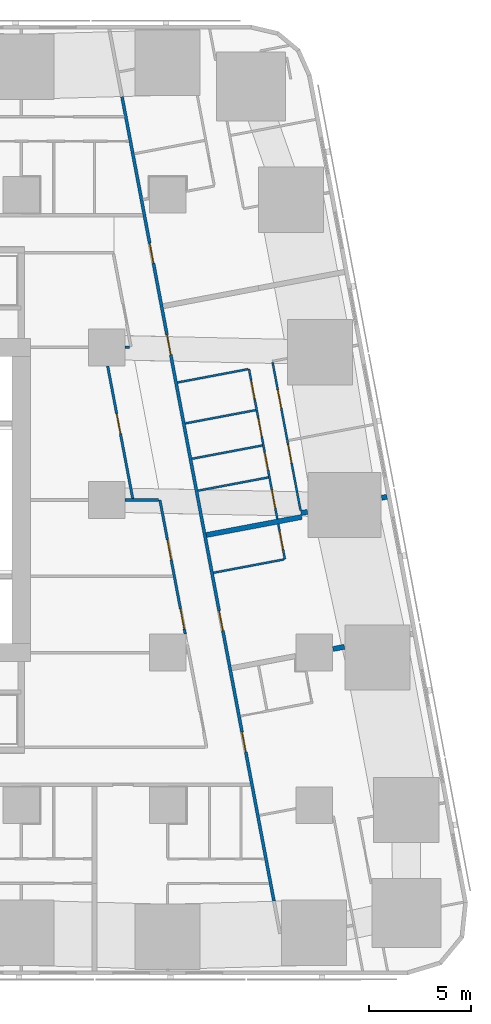
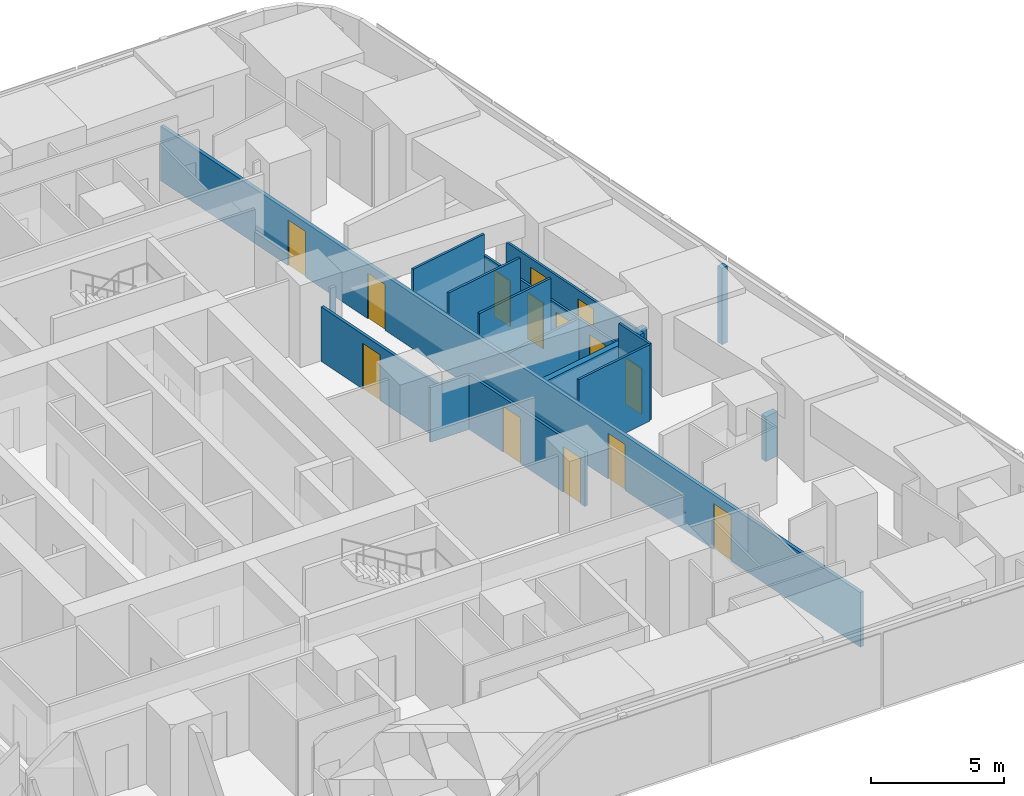
# One storey, part 9 of 17: 17 walls, 14 doors, 14 openings.
"""IFC4 building model written with IfcOpenShell, lengths in metres."""

import ifcopenshell
import ifcopenshell.guid

model = None  # the IFC model being written
_history = None  # IfcOwnerHistory: only IFC2X3 demands one
_inside = {}  # id of a spatial element -> (the spatial element, [elements in it])
_under = {}  # id of a project, library or spatial element -> (it, [spatial elements below it])
_declared = {}  # id of a project -> (the project, [libraries it declares])
_typed = {}  # id of a type object -> (the type object, [elements of that type])
_made_of = {}  # id of a material, layer set ... -> (it, [elements and type objects made of it])


def new_model(schema):
    """Start an empty IFC model of exactly this schema.

    Asked for "IFC4X3", IfcOpenShell would pick the latest addendum, in which some entities
    have other attributes; the version numbers below select the first issue.
    IFC2X3 requires an IfcOwnerHistory on every rooted entity: one is made here for all.
    """
    global model, _history
    if schema == "IFC4X3":
        model = ifcopenshell.file(schema_version=(4, 3, 0, 0))
    else:
        model = ifcopenshell.file(schema=schema)
    _inside.clear()
    _under.clear()
    _declared.clear()
    _typed.clear()
    _made_of.clear()
    _history = None
    if model.schema == "IFC2X3":
        org = make("IfcOrganization", Name="unknown")
        user = make(
            "IfcPersonAndOrganization",
            ThePerson=make("IfcPerson", FamilyName="unknown"),
            TheOrganization=org,
        )
        app = make(
            "IfcApplication",
            ApplicationDeveloper=org,
            Version="unknown",
            ApplicationFullName="unknown",
            ApplicationIdentifier="unknown",
        )
        _history = make(
            "IfcOwnerHistory",
            OwningUser=user,
            OwningApplication=app,
            ChangeAction="ADDED",
            CreationDate=0,
        )
    return model


def make(cls, **values):
    """One entity of the class cls with the attributes given. An attribute that is None is left unset."""
    return model.create_entity(
        cls, **{name: value for name, value in values.items() if value is not None}
    )


def rooted(cls, **values):
    """An entity with a GlobalId (a new one), such as an element, a storey or a relation."""
    return make(cls, GlobalId=ifcopenshell.guid.new(), OwnerHistory=_history, **values)


def si_unit(unit_type, name, prefix=None):
    """IfcSIUnit, for example si_unit("LENGTHUNIT", "METRE", prefix="MILLI")."""
    return make("IfcSIUnit", UnitType=unit_type, Prefix=prefix, Name=name)


def assignment(units):
    """IfcUnitAssignment: the units of a project."""
    return None if units is None else make("IfcUnitAssignment", Units=units)


def point(xyz):
    """IfcCartesianPoint."""
    return None if xyz is None else make("IfcCartesianPoint", Coordinates=xyz)


def direction(xyz):
    """IfcDirection."""
    return None if xyz is None else make("IfcDirection", DirectionRatios=xyz)


def frame(location, z_axis=None, x_axis=None):
    """IfcAxis2Placement3D, a coordinate frame: its origin and axes. An axis left out is left unset."""
    return make(
        "IfcAxis2Placement3D",
        Location=point(location),
        Axis=direction(z_axis),
        RefDirection=direction(x_axis),
    )


def frame_2d(location, x_axis=None):
    """IfcAxis2Placement2D, a coordinate frame in the plane: its origin and x axis."""
    return make(
        "IfcAxis2Placement2D", Location=point(location), RefDirection=direction(x_axis)
    )


def origin():
    """The frame at (0, 0, 0) with its axes left unset."""
    return frame((0.0, 0.0, 0.0))


def place(relative_to, where):
    """IfcLocalPlacement: puts the frame where relative to a parent placement (None: the world)."""
    return make(
        "IfcLocalPlacement", PlacementRelTo=relative_to, RelativePlacement=where
    )


def context(
    kind, dimensions, precision=None, world=None, true_north=None, identifier=None
):
    """IfcGeometricRepresentationContext, for example the 3D "Model" context."""
    return make(
        "IfcGeometricRepresentationContext",
        ContextIdentifier=identifier,
        ContextType=kind,
        CoordinateSpaceDimension=dimensions,
        Precision=precision,
        WorldCoordinateSystem=world,
        TrueNorth=true_north,
    )


def subcontext(parent, identifier, kind, view, scale=None):
    """IfcGeometricRepresentationSubContext, for example "Body" below "Model"."""
    return make(
        "IfcGeometricRepresentationSubContext",
        ContextIdentifier=identifier,
        ContextType=kind,
        ParentContext=parent,
        TargetScale=scale,
        TargetView=view,
    )


def project(units=None, contexts=None):
    """IfcProject with its units and contexts."""
    return rooted(
        "IfcProject",
        Name="project",
        RepresentationContexts=contexts,
        UnitsInContext=assignment(units),
    )


def spatial(cls, under=None, at=None, **own):
    """A site, building, storey or space (cls), placed at a placement, below another one or the project."""
    s = rooted(cls, ObjectPlacement=at, **own)
    if under is not None:
        _under.setdefault(under.id(), (under, []))[1].append(s)
    return s


def profile(cls, at=None, kind="AREA", **sizes):
    """A parametric profile (cls). Its sizes go by their IFC names, for example OverallWidth=200.0."""
    return make(cls, ProfileType=kind, Position=at, **sizes)


def rectangle(**sizes):
    """IfcRectangleProfileDef."""
    return profile("IfcRectangleProfileDef", **sizes)


def extrude(swept, where, along, depth):
    """IfcExtrudedAreaSolid: the profile swept, set in the frame where, extruded along a direction by depth."""
    return make(
        "IfcExtrudedAreaSolid",
        SweptArea=swept,
        Position=where,
        ExtrudedDirection=direction(along),
        Depth=depth,
    )


def shape(context_of_items, identifier, shape_type, items):
    """IfcShapeRepresentation: the items that make up one representation, for example the "Body"."""
    return make(
        "IfcShapeRepresentation",
        ContextOfItems=context_of_items,
        RepresentationIdentifier=identifier,
        RepresentationType=shape_type,
        Items=items,
    )


def material(Name=None, Category=None):
    """IfcMaterial."""
    return make("IfcMaterial", Name=Name, Category=Category)


def layer(
    of_material, thickness, ventilated=None, Name=None, Category=None, Priority=None
):
    """IfcMaterialLayer: one layer of a wall or slab, of a material (None: an air gap)."""
    return make(
        "IfcMaterialLayer",
        Material=of_material,
        LayerThickness=thickness,
        IsVentilated=ventilated,
        Name=Name,
        Category=Category,
        Priority=Priority,
    )


def layer_set(layers, Name=None):
    """IfcMaterialLayerSet."""
    return make("IfcMaterialLayerSet", MaterialLayers=layers, LayerSetName=Name)


def made_of(thing, what):
    """Note that an element or type object is made of a material, layer set ...; save() writes the relation."""
    if what is not None:
        _made_of.setdefault(what.id(), (what, []))[1].append(thing)
    return thing


def type_object(cls, material=None, **own):
    """A type object (cls), such as IfcWallType, which elements share."""
    return made_of(rooted(cls, **own), material)


def element(
    cls,
    number,
    at=None,
    inside=None,
    cuts=None,
    type_object=None,
    material=None,
    context=None,
    identifier="Body",
    shape_type=None,
    held_by="IfcProductDefinitionShape",
    body=None,
    shapes=None,
    **own,
):
    """One element of the class cls, such as IfcWall. Its Tag is "e" and its number.

    at: its placement. inside: the storey or other place that contains it. cuts: it is an
    opening in that element (IfcRelVoidsElement). A single representation is given by context,
    identifier, shape_type and body (its items); several are given by shapes. held_by: the class
    of the entity that holds the representations. save() writes the other relations.
    """
    e = rooted(cls, Tag="e%d" % number, ObjectPlacement=at, **own)
    if body is not None:
        shapes = [shape(context, identifier, shape_type, body)]
    if shapes is not None:
        e.Representation = make(held_by, Representations=shapes)
    if inside is not None:
        _inside.setdefault(inside.id(), (inside, []))[1].append(e)
    if cuts is not None:
        rooted(
            "IfcRelVoidsElement", RelatingBuildingElement=cuts, RelatedOpeningElement=e
        )
    if type_object is not None:
        _typed.setdefault(type_object.id(), (type_object, []))[1].append(e)
    return made_of(e, material)


def fill(opening, filler):
    """IfcRelFillsElement: the door or window that sits in an opening."""
    return rooted(
        "IfcRelFillsElement",
        RelatingOpeningElement=opening,
        RelatedBuildingElement=filler,
    )


def aggregate(whole, parts):
    """IfcRelAggregates: a whole, such as a stair, and the parts it consists of."""
    return rooted("IfcRelAggregates", RelatingObject=whole, RelatedObjects=parts)


def save(model, path):
    """Write the relations noted so far, then the file.

    IfcRelAggregates (storeys below a building ...), IfcRelContainedInSpatialStructure (elements
    in a storey), IfcRelDefinesByType, IfcRelAssociatesMaterial and IfcRelDeclares: one each for
    every whole, place, type object, material and project.
    """
    for whole, parts in _under.values():
        aggregate(whole, parts)
    for where, things in _inside.values():
        rooted(
            "IfcRelContainedInSpatialStructure",
            RelatedElements=things,
            RelatingStructure=where,
        )
    for kind, things in _typed.values():
        rooted("IfcRelDefinesByType", RelatedObjects=things, RelatingType=kind)
    for what, things in _made_of.values():
        rooted("IfcRelAssociatesMaterial", RelatedObjects=things, RelatingMaterial=what)
    for by, libraries in _declared.values():
        rooted("IfcRelDeclares", RelatingContext=by, RelatedDefinitions=libraries)
    model.write(path)


model = new_model("IFC4")

# Units and contexts
model_context = context("Model", 3, precision=1e-05, world=origin(), true_north=direction((0.0, 1.0)))
body_context = subcontext(model_context, "Body", "Model", "MODEL_VIEW")
ifc_project = project(units=[si_unit("LENGTHUNIT", "METRE"), si_unit("AREAUNIT", "SQUARE_METRE"), si_unit("VOLUMEUNIT", "CUBIC_METRE"), si_unit("PLANEANGLEUNIT", "RADIAN"), si_unit("MASSUNIT", "GRAM", prefix="KILO")], contexts=[model_context])

# Site, building, storey
site_placement = place(None, origin())
site = spatial("IfcSite", under=ifc_project, at=site_placement, CompositionType="ELEMENT")
building_placement = place(site_placement, origin())
building = spatial("IfcBuilding", under=site, at=building_placement, Name="Sheger Commons Tower", CompositionType="ELEMENT")
storey_placement = place(building_placement, frame((0.0, 0.0, 23.75)))
storey = spatial("IfcBuildingStorey", under=building, at=storey_placement, Name="L05", CompositionType="ELEMENT", Elevation=23.75)

# Wall, openings, doors
ifc_material_1 = material(Name="Hollow concrete block masonry, skimmed both sides", Category="masonry")
ifc_layer_1 = layer(ifc_material_1, 0.14990234375)
ifc_layer_set_1 = layer_set([ifc_layer_1], Name="CORRIDOR WALL 150")
wall_type_1 = type_object("IfcWallType", Name="CORRIDOR WALL 150", PredefinedType="SOLIDWALL", material=ifc_layer_set_1)
wall_1_placement = place(storey_placement, frame((33.7548828125, 42.324951171875, 0.0), z_axis=(0.0, 0.0, 1.0), x_axis=(0.185611461091, -0.982623216453, 0.0)))
wall_1 = element("IfcWall", 1, at=wall_1_placement, inside=storey, type_object=wall_type_1, Name="Corridor wall L05", PredefinedType="SOLIDWALL", context=body_context, shape_type="SweptSolid", body=[
    extrude(rectangle(XDim=40.2412109375, YDim=0.14990234375, at=frame_2d((20.12060546875, 0.0))), origin(), (0.0, 0.0, 1.0), 2.5),
])
opening_1_placement = place(wall_1_placement, frame((7.324951171875, 0.0, 0.0)))
opening_1 = element("IfcOpeningElement", 2, at=opening_1_placement, cuts=wall_1, Name="Opening D1", PredefinedType="OPENING", context=body_context, shape_type="SweptSolid", body=[
    extrude(rectangle(XDim=1.0, YDim=2.10009765625, at=frame_2d((0.5, 1.050048828125))), frame((0.0, 0.0849609375, 0.0), z_axis=(0.0, -1.0, 0.0), x_axis=(1.0, 0.0, 0.0)), (0.0, 0.0, 1.0), 0.169921875),
])
opening_2_placement = place(wall_1_placement, frame((11.902099609375, 0.0, 0.0)))
opening_2 = element("IfcOpeningElement", 3, at=opening_2_placement, cuts=wall_1, Name="Opening D1", PredefinedType="OPENING", context=body_context, shape_type="SweptSolid", body=[
    extrude(rectangle(XDim=1.0, YDim=2.10009765625, at=frame_2d((0.5, 1.050048828125))), frame((0.0, 0.0849609375, 0.0), z_axis=(0.0, -1.0, 0.0), x_axis=(1.0, 0.0, 0.0)), (0.0, 0.0, 1.0), 0.169921875),
])
opening_3_placement = place(wall_1_placement, frame((25.718017578125, 0.0, 0.0)))
opening_3 = element("IfcOpeningElement", 4, at=opening_3_placement, cuts=wall_1, Name="Opening D1", PredefinedType="OPENING", context=body_context, shape_type="SweptSolid", body=[
    extrude(rectangle(XDim=1.0, YDim=2.10009765625, at=frame_2d((0.5, 1.050048828125))), frame((0.0, 0.0849609375, 0.0), z_axis=(0.0, -1.0, 0.0), x_axis=(1.0, 0.0, 0.0)), (0.0, 0.0, 1.0), 0.169921875),
])
opening_4_placement = place(wall_1_placement, frame((31.7880859375, 0.0, 0.0)))
opening_4 = element("IfcOpeningElement", 5, at=opening_4_placement, cuts=wall_1, Name="Opening D1", PredefinedType="OPENING", context=body_context, shape_type="SweptSolid", body=[
    extrude(rectangle(XDim=1.0, YDim=2.10009765625, at=frame_2d((0.5, 1.050048828125))), frame((0.0, 0.0849609375, 0.0), z_axis=(0.0, -1.0, 0.0), x_axis=(1.0, 0.0, 0.0)), (0.0, 0.0, 1.0), 0.169921875),
])
ifc_material_2 = material(Name="Steel door set, fire rated", Category="steel")
door_type_1 = type_object("IfcDoorType", Name="FLAT ENTRANCE DOOR 1000x2100", OperationType="NOTDEFINED", PredefinedType="DOOR", material=ifc_material_2)
door_1_placement = place(opening_1_placement, origin())
door_1 = element("IfcDoor", 6, at=door_1_placement, inside=storey, type_object=door_type_1, Name="Flat entrance door", OperationType="SINGLE_SWING_RIGHT", OverallHeight=2.10009765625, OverallWidth=1.0, PredefinedType="DOOR", context=body_context, shape_type="SweptSolid", body=[
    extrude(rectangle(XDim=1.0, YDim=2.10009765625, at=frame_2d((0.5, 1.050048828125))), frame((0.0, 0.02490234375, 0.0), z_axis=(0.0, -1.0, 0.0), x_axis=(1.0, 0.0, 0.0)), (0.0, 0.0, 1.0), 0.050048828125),
])
fill(opening_1, door_1)
door_2_placement = place(opening_2_placement, origin())
door_2 = element("IfcDoor", 7, at=door_2_placement, inside=storey, type_object=door_type_1, Name="Flat entrance door", OperationType="SINGLE_SWING_RIGHT", OverallHeight=2.10009765625, OverallWidth=1.0, PredefinedType="DOOR", context=body_context, shape_type="SweptSolid", body=[
    extrude(rectangle(XDim=1.0, YDim=2.10009765625, at=frame_2d((0.5, 1.050048828125))), frame((0.0, 0.02490234375, 0.0), z_axis=(0.0, -1.0, 0.0), x_axis=(1.0, 0.0, 0.0)), (0.0, 0.0, 1.0), 0.050048828125),
])
fill(opening_2, door_2)
door_3_placement = place(opening_3_placement, origin())
door_3 = element("IfcDoor", 8, at=door_3_placement, inside=storey, type_object=door_type_1, Name="Flat entrance door", OperationType="SINGLE_SWING_RIGHT", OverallHeight=2.10009765625, OverallWidth=1.0, PredefinedType="DOOR", context=body_context, shape_type="SweptSolid", body=[
    extrude(rectangle(XDim=1.0, YDim=2.10009765625, at=frame_2d((0.5, 1.050048828125))), frame((0.0, 0.02490234375, 0.0), z_axis=(0.0, -1.0, 0.0), x_axis=(1.0, 0.0, 0.0)), (0.0, 0.0, 1.0), 0.050048828125),
])
fill(opening_3, door_3)
door_4_placement = place(opening_4_placement, origin())
door_4 = element("IfcDoor", 9, at=door_4_placement, inside=storey, type_object=door_type_1, Name="Flat entrance door", OperationType="SINGLE_SWING_RIGHT", OverallHeight=2.10009765625, OverallWidth=1.0, PredefinedType="DOOR", context=body_context, shape_type="SweptSolid", body=[
    extrude(rectangle(XDim=1.0, YDim=2.10009765625, at=frame_2d((0.5, 1.050048828125))), frame((0.0, 0.02490234375, 0.0), z_axis=(0.0, -1.0, 0.0), x_axis=(1.0, 0.0, 0.0)), (0.0, 0.0, 1.0), 0.050048828125),
])
fill(opening_4, door_4)

# Walls
ifc_material_3 = material(Name="Dense concrete block masonry, plastered both sides (separating wall between flats)", Category="masonry")
ifc_layer_2 = layer(ifc_material_3, 0.25)
ifc_layer_set_2 = layer_set([ifc_layer_2], Name="DEMISING WALL 250")
wall_type_2 = type_object("IfcWallType", Name="DEMISING WALL 250", PredefinedType="SOLIDWALL", material=ifc_layer_set_2)
wall_2_placement = place(storey_placement, frame((46.781982421875, 22.656982421875, 0.0), z_axis=(0.0, 0.0, 1.0), x_axis=(-0.982104607121, -0.188336243648, 0.0)))
element("IfcWall", 10, at=wall_2_placement, inside=storey, type_object=wall_type_2, Name="Demising wall L05", PredefinedType="SOLIDWALL", context=body_context, shape_type="SweptSolid", body=[
    extrude(rectangle(XDim=0.265625, YDim=0.25, at=frame_2d((0.1328125, 0.0))), origin(), (0.0, 0.0, 1.0), 3.5),
])
wall_3_placement = place(storey_placement, frame((42.873046875, 21.91796875, 0.0), z_axis=(0.0, 0.0, 1.0), x_axis=(-0.982431406936, -0.186624035603, 0.0)))
element("IfcWall", 11, at=wall_3_placement, inside=storey, type_object=wall_type_2, Name="Demising wall L05", PredefinedType="SOLIDWALL", context=body_context, shape_type="SweptSolid", body=[
    extrude(rectangle(XDim=0.32177734375, YDim=0.25, at=frame_2d((0.160888671875, 0.0))), origin(), (0.0, 0.0, 1.0), 2.5),
])
wall_4_placement = place(storey_placement, frame((42.593017578125, 21.6650390625, 0.0), z_axis=(0.0, 0.0, 1.0), x_axis=(-0.982635807605, -0.185544791394, 0.0)))
element("IfcWall", 12, at=wall_4_placement, inside=storey, type_object=wall_type_2, Name="Demising wall L05", PredefinedType="SOLIDWALL", context=body_context, shape_type="SweptSolid", body=[
    extrude(rectangle(XDim=4.775146484375, YDim=0.25, at=frame_2d((2.3876953125, 0.0))), origin(), (0.0, 0.0, 1.0), 2.5),
])
wall_5_placement = place(storey_placement, frame((44.68994140625, 15.281005859375, 0.0), z_axis=(0.0, 0.0, 1.0), x_axis=(-0.982612073204, -0.185670443513, 0.0)))
element("IfcWall", 13, at=wall_5_placement, inside=storey, type_object=wall_type_2, Name="Demising wall L05", PredefinedType="SOLIDWALL", context=body_context, shape_type="SweptSolid", body=[
    extrude(rectangle(XDim=0.575927734375, YDim=0.25, at=frame_2d((0.2880859375, 0.0))), origin(), (0.0, 0.0, 1.0), 2.050048828125),
])

# Wall, openings, doors
ifc_material_4 = material(Name="Gypsum board on steel studs", Category="steel")
ifc_layer_3 = layer(ifc_material_4, 0.10009765625)
ifc_layer_set_3 = layer_set([ifc_layer_3], Name="PARTITION 100")
wall_type_3 = type_object("IfcWallType", Name="PARTITION 100", PredefinedType="PARTITIONING", material=ifc_layer_set_3)
wall_6_placement = place(storey_placement, frame((41.156982421875, 29.27294921875, 0.0), z_axis=(0.0, 0.0, 1.0), x_axis=(0.18542464283, -0.982658486877, 0.0)))
wall_6 = element("IfcWall", 14, at=wall_6_placement, inside=storey, type_object=wall_type_3, Name="Partition L05", PredefinedType="PARTITIONING", context=body_context, shape_type="SweptSolid", body=[
    extrude(rectangle(XDim=7.420654296875, YDim=0.10009765625, at=frame_2d((3.71044921875, 0.0))), origin(), (0.0, 0.0, 1.0), 2.5),
])
opening_5_placement = place(wall_6_placement, frame((1.39990234375, 0.0, 0.0)))
opening_5 = element("IfcOpeningElement", 15, at=opening_5_placement, cuts=wall_6, Name="Opening D2", PredefinedType="OPENING", context=body_context, shape_type="SweptSolid", body=[
    extrude(rectangle(XDim=0.89990234375, YDim=2.10009765625, at=frame_2d((0.449951171875, 1.050048828125))), frame((0.0, 0.06005859375, 0.0), z_axis=(0.0, -1.0, 0.0), x_axis=(1.0, 0.0, 0.0)), (0.0, 0.0, 1.0), 0.1201171875),
])
opening_6_placement = place(wall_6_placement, frame((4.1259765625, 0.0, 0.0)))
opening_6 = element("IfcOpeningElement", 16, at=opening_6_placement, cuts=wall_6, Name="Opening D2", PredefinedType="OPENING", context=body_context, shape_type="SweptSolid", body=[
    extrude(rectangle(XDim=0.89990234375, YDim=2.10009765625, at=frame_2d((0.449951171875, 1.050048828125))), frame((0.0, 0.06005859375, 0.0), z_axis=(0.0, -1.0, 0.0), x_axis=(1.0, 0.0, 0.0)), (0.0, 0.0, 1.0), 0.1201171875),
])
ifc_material_5 = material(Name="Timber door set", Category="wood")
door_type_2 = type_object("IfcDoorType", Name="INTERNAL DOOR 900x2100", OperationType="NOTDEFINED", PredefinedType="DOOR", material=ifc_material_5)
door_5_placement = place(opening_5_placement, origin())
door_5 = element("IfcDoor", 17, at=door_5_placement, inside=storey, type_object=door_type_2, Name="Main bedroom door", OperationType="SINGLE_SWING_LEFT", OverallHeight=2.10009765625, OverallWidth=0.89990234375, PredefinedType="DOOR", context=body_context, shape_type="SweptSolid", body=[
    extrude(rectangle(XDim=0.89990234375, YDim=2.10009765625, at=frame_2d((0.449951171875, 1.050048828125))), frame((0.0, 0.02490234375, 0.0), z_axis=(0.0, -1.0, 0.0), x_axis=(1.0, 0.0, 0.0)), (0.0, 0.0, 1.0), 0.050048828125),
])
fill(opening_5, door_5)
door_6_placement = place(opening_6_placement, origin())
door_6 = element("IfcDoor", 18, at=door_6_placement, inside=storey, type_object=door_type_2, Name="Bedroom 2 door", OperationType="SINGLE_SWING_LEFT", OverallHeight=2.10009765625, OverallWidth=0.89990234375, PredefinedType="DOOR", context=body_context, shape_type="SweptSolid", body=[
    extrude(rectangle(XDim=0.89990234375, YDim=2.10009765625, at=frame_2d((0.449951171875, 1.050048828125))), frame((0.0, 0.02490234375, 0.0), z_axis=(0.0, -1.0, 0.0), x_axis=(1.0, 0.0, 0.0)), (0.0, 0.0, 1.0), 0.050048828125),
])
fill(opening_6, door_6)

wall_7_placement = place(storey_placement, frame((39.9970703125, 28.94189453125, 0.0), z_axis=(0.0, 0.0, 1.0), x_axis=(0.185686318797, -0.982609073341, 0.0)))
wall_7 = element("IfcWall", 19, at=wall_7_placement, inside=storey, type_object=wall_type_3, Name="Partition L05", PredefinedType="PARTITIONING", context=body_context, shape_type="SweptSolid", body=[
    extrude(rectangle(XDim=7.507568359375, YDim=0.10009765625, at=frame_2d((3.75390625, 0.0))), origin(), (0.0, 0.0, 1.0), 2.5),
])
opening_7_placement = place(wall_7_placement, frame((0.575927734375, 0.0, 0.0)))
opening_7 = element("IfcOpeningElement", 20, at=opening_7_placement, cuts=wall_7, Name="Opening D2", PredefinedType="OPENING", context=body_context, shape_type="SweptSolid", body=[
    extrude(rectangle(XDim=0.89990234375, YDim=2.10009765625, at=frame_2d((0.449951171875, 1.050048828125))), frame((0.0, 0.06005859375, 0.0), z_axis=(0.0, -1.0, 0.0), x_axis=(1.0, 0.0, 0.0)), (0.0, 0.0, 1.0), 0.1201171875),
])
opening_8_placement = place(wall_7_placement, frame((4.166015625, 0.0, 0.0)))
opening_8 = element("IfcOpeningElement", 21, at=opening_8_placement, cuts=wall_7, Name="Opening D2", PredefinedType="OPENING", context=body_context, shape_type="SweptSolid", body=[
    extrude(rectangle(XDim=0.89990234375, YDim=2.10009765625, at=frame_2d((0.449951171875, 1.050048828125))), frame((0.0, 0.06005859375, 0.0), z_axis=(0.0, -1.0, 0.0), x_axis=(1.0, 0.0, 0.0)), (0.0, 0.0, 1.0), 0.1201171875),
])
opening_9_placement = place(wall_7_placement, frame((2.48291015625, 0.0, 0.0)))
opening_9 = element("IfcOpeningElement", 22, at=opening_9_placement, cuts=wall_7, Name="Opening D2", PredefinedType="OPENING", context=body_context, shape_type="SweptSolid", body=[
    extrude(rectangle(XDim=0.89990234375, YDim=2.10009765625, at=frame_2d((0.449951171875, 1.050048828125))), frame((0.0, 0.06005859375, 0.0), z_axis=(0.0, -1.0, 0.0), x_axis=(1.0, 0.0, 0.0)), (0.0, 0.0, 1.0), 0.1201171875),
])
opening_10_placement = place(wall_7_placement, frame((6.073974609375, 0.0, 0.0)))
opening_10 = element("IfcOpeningElement", 23, at=opening_10_placement, cuts=wall_7, Name="Opening D2", PredefinedType="OPENING", context=body_context, shape_type="SweptSolid", body=[
    extrude(rectangle(XDim=0.89990234375, YDim=2.10009765625, at=frame_2d((0.449951171875, 1.050048828125))), frame((0.0, 0.06005859375, 0.0), z_axis=(0.0, -1.0, 0.0), x_axis=(1.0, 0.0, 0.0)), (0.0, 0.0, 1.0), 0.1201171875),
])
door_7_placement = place(opening_7_placement, origin())
door_7 = element("IfcDoor", 24, at=door_7_placement, inside=storey, type_object=door_type_2, Name="Bathroom door", OperationType="SINGLE_SWING_RIGHT", OverallHeight=2.10009765625, OverallWidth=0.89990234375, PredefinedType="DOOR", context=body_context, shape_type="SweptSolid", body=[
    extrude(rectangle(XDim=0.89990234375, YDim=2.10009765625, at=frame_2d((0.449951171875, 1.050048828125))), frame((0.0, 0.02490234375, 0.0), z_axis=(0.0, -1.0, 0.0), x_axis=(1.0, 0.0, 0.0)), (0.0, 0.0, 1.0), 0.050048828125),
])
fill(opening_7, door_7)
door_8_placement = place(opening_8_placement, origin())
door_8 = element("IfcDoor", 25, at=door_8_placement, inside=storey, type_object=door_type_2, Name="Shower room door", OperationType="SINGLE_SWING_LEFT", OverallHeight=2.10009765625, OverallWidth=0.89990234375, PredefinedType="DOOR", context=body_context, shape_type="SweptSolid", body=[
    extrude(rectangle(XDim=0.89990234375, YDim=2.10009765625, at=frame_2d((0.449951171875, 1.050048828125))), frame((0.0, 0.02490234375, 0.0), z_axis=(0.0, -1.0, 0.0), x_axis=(1.0, 0.0, 0.0)), (0.0, 0.0, 1.0), 0.050048828125),
])
fill(opening_8, door_8)
door_9_placement = place(opening_9_placement, origin())
door_9 = element("IfcDoor", 26, at=door_9_placement, inside=storey, type_object=door_type_2, Name="Store door", OperationType="SINGLE_SWING_LEFT", OverallHeight=2.10009765625, OverallWidth=0.89990234375, PredefinedType="DOOR", context=body_context, shape_type="SweptSolid", body=[
    extrude(rectangle(XDim=0.89990234375, YDim=2.10009765625, at=frame_2d((0.449951171875, 1.050048828125))), frame((0.0, 0.02490234375, 0.0), z_axis=(0.0, -1.0, 0.0), x_axis=(1.0, 0.0, 0.0)), (0.0, 0.0, 1.0), 0.050048828125),
])
fill(opening_9, door_9)
door_10_placement = place(opening_10_placement, origin())
door_10 = element("IfcDoor", 27, at=door_10_placement, inside=storey, type_object=door_type_2, Name="Store door", OperationType="SINGLE_SWING_LEFT", OverallHeight=2.10009765625, OverallWidth=0.89990234375, PredefinedType="DOOR", context=body_context, shape_type="SweptSolid", body=[
    extrude(rectangle(XDim=0.89990234375, YDim=2.10009765625, at=frame_2d((0.449951171875, 1.050048828125))), frame((0.0, 0.02490234375, 0.0), z_axis=(0.0, -1.0, 0.0), x_axis=(1.0, 0.0, 0.0)), (0.0, 0.0, 1.0), 0.050048828125),
])
fill(opening_10, door_10)

# Walls
for number, where, z_axis, x_axis, name in (
    (28, (39.947998046875, 28.93310546875, 0.0), (0.0, 0.0, 1.0), (-0.982576058723, -0.185860939478, 0.0), "Partition L05"),
    (29, (40.656005859375, 25.18310546875, 0.0), (0.0, 0.0, 1.0), (-0.982576058723, -0.185860939478, 0.0), "Partition L05"),
):
    element("IfcWall", number, at=place(storey_placement, frame(where, z_axis=z_axis, x_axis=x_axis)), inside=storey, type_object=wall_type_3, Name=name, PredefinedType="PARTITIONING", context=body_context, shape_type="SweptSolid", body=[
        extrude(rectangle(XDim=3.5244140625, YDim=0.10009765625, at=frame_2d((1.76220703125, 0.0))), origin(), (0.0, 0.0, 1.0), 3.5),
    ])
wall_8_placement = place(storey_placement, frame((40.3291015625, 26.91796875, 0.0), z_axis=(0.0, 0.0, 1.0), x_axis=(-0.982638553676, -0.185530247748, 0.0)))
element("IfcWall", 30, at=wall_8_placement, inside=storey, type_object=wall_type_3, Name="Partition L05", PredefinedType="PARTITIONING", context=body_context, shape_type="SweptSolid", body=[
    extrude(rectangle(XDim=3.525390625, YDim=0.10009765625, at=frame_2d((1.7626953125, 0.0))), origin(), (0.0, 0.0, 1.0), 3.5),
])
wall_9_placement = place(storey_placement, frame((40.9541015625, 23.610107421875, 0.0), z_axis=(0.0, 0.0, 1.0), x_axis=(-0.982638553676, -0.185530247748, 0.0)))
element("IfcWall", 31, at=wall_9_placement, inside=storey, type_object=wall_type_3, Name="Partition L05", PredefinedType="PARTITIONING", context=body_context, shape_type="SweptSolid", body=[
    extrude(rectangle(XDim=3.525390625, YDim=0.10009765625, at=frame_2d((1.7626953125, 0.0))), origin(), (0.0, 0.0, 1.0), 2.5),
])

# Wall, opening, door
wall_10_placement = place(storey_placement, frame((41.43701171875, 21.319091796875, 0.0), z_axis=(0.0, 0.0, 1.0), x_axis=(0.185783379659, -0.98259072652, 0.0)))
wall_10 = element("IfcWall", 32, at=wall_10_placement, inside=storey, type_object=wall_type_3, Name="Partition L05", PredefinedType="PARTITIONING", context=body_context, shape_type="SweptSolid", body=[
    extrude(rectangle(XDim=1.764892578125, YDim=0.10009765625, at=frame_2d((0.88232421875, 0.0))), origin(), (0.0, 0.0, 1.0), 3.5),
])
opening_11_placement = place(wall_10_placement, frame((0.3740234375, 0.0, 0.0)))
opening_11 = element("IfcOpeningElement", 33, at=opening_11_placement, cuts=wall_10, Name="Opening D2", PredefinedType="OPENING", context=body_context, shape_type="SweptSolid", body=[
    extrude(rectangle(XDim=0.89990234375, YDim=2.10009765625, at=frame_2d((0.449951171875, 1.050048828125))), frame((0.0, 0.06005859375, 0.0), z_axis=(0.0, -1.0, 0.0), x_axis=(1.0, 0.0, 0.0)), (0.0, 0.0, 1.0), 0.1201171875),
])
door_11_placement = place(opening_11_placement, origin())
door_11 = element("IfcDoor", 34, at=door_11_placement, inside=storey, type_object=door_type_2, Name="Shower room door", OperationType="SINGLE_SWING_RIGHT", OverallHeight=2.10009765625, OverallWidth=0.89990234375, PredefinedType="DOOR", context=body_context, shape_type="SweptSolid", body=[
    extrude(rectangle(XDim=0.89990234375, YDim=2.10009765625, at=frame_2d((0.449951171875, 1.050048828125))), frame((0.0, 0.02490234375, 0.0), z_axis=(0.0, -1.0, 0.0), x_axis=(1.0, 0.0, 0.0)), (0.0, 0.0, 1.0), 0.050048828125),
])
fill(opening_11, door_11)

# Wall
wall_11_placement = place(storey_placement, frame((41.716064453125, 19.575927734375, 0.0), z_axis=(0.0, 0.0, 1.0), x_axis=(-0.982588017646, -0.185797706064, 0.0)))
element("IfcWall", 35, at=wall_11_placement, inside=storey, type_object=wall_type_3, Name="Partition L05", PredefinedType="PARTITIONING", context=body_context, shape_type="SweptSolid", body=[
    extrude(rectangle(XDim=3.525390625, YDim=0.10009765625, at=frame_2d((1.7626953125, 0.0))), origin(), (0.0, 0.0, 1.0), 3.5),
])

# Wall, openings, doors
ifc_material_6 = material(Name="Gypsum board on steel studs, two layers each side, fire rated", Category="steel")
ifc_layer_4 = layer(ifc_material_6, 0.125)
ifc_layer_set_4 = layer_set([ifc_layer_4], Name="SERVICE WALL 125")
wall_type_4 = type_object("IfcWallType", Name="SERVICE WALL 125", PredefinedType="PARTITIONING", material=ifc_layer_set_4)
wall_12_placement = place(storey_placement, frame((36.861083984375, 15.9130859375, 0.0), z_axis=(0.0, 0.0, 1.0), x_axis=(-0.185598960122, 0.982625577726, 0.0)))
wall_12 = element("IfcWall", 36, at=wall_12_placement, inside=storey, type_object=wall_type_4, Name="Service room wall L05", PredefinedType="PARTITIONING", context=body_context, shape_type="SweptSolid", body=[
    extrude(rectangle(XDim=6.703369140625, YDim=0.125, at=frame_2d((3.3515625, 0.0))), origin(), (0.0, 0.0, 1.0), 2.5),
])
opening_12_placement = place(wall_12_placement, frame((0.25, 0.0, 0.0)))
opening_12 = element("IfcOpeningElement", 37, at=opening_12_placement, cuts=wall_12, Name="Opening D4", PredefinedType="OPENING", context=body_context, shape_type="SweptSolid", body=[
    extrude(rectangle(XDim=1.0, YDim=2.10009765625, at=frame_2d((0.5, 1.050048828125))), frame((0.0, 0.072509765625, 0.0), z_axis=(0.0, -1.0, 0.0), x_axis=(1.0, 0.0, 0.0)), (0.0, 0.0, 1.0), 0.14501953125),
])
opening_13_placement = place(wall_12_placement, frame((3.7099609375, 0.0, 0.0)))
opening_13 = element("IfcOpeningElement", 38, at=opening_13_placement, cuts=wall_12, Name="Opening D4", PredefinedType="OPENING", context=body_context, shape_type="SweptSolid", body=[
    extrude(rectangle(XDim=1.0, YDim=2.10009765625, at=frame_2d((0.5, 1.050048828125))), frame((0.0, 0.072509765625, 0.0), z_axis=(0.0, -1.0, 0.0), x_axis=(1.0, 0.0, 0.0)), (0.0, 0.0, 1.0), 0.14501953125),
])
ifc_material_7 = material(Name="Steel door set, fire rated", Category="steel")
door_type_3 = type_object("IfcDoorType", Name="SERVICE DOOR 1000x2100", OperationType="NOTDEFINED", PredefinedType="DOOR", material=ifc_material_7)
door_12_placement = place(opening_12_placement, origin())
door_12 = element("IfcDoor", 39, at=door_12_placement, inside=storey, type_object=door_type_3, Name="Residents' hobby room door", OperationType="SINGLE_SWING_LEFT", OverallHeight=2.10009765625, OverallWidth=1.0, PredefinedType="DOOR", context=body_context, shape_type="SweptSolid", body=[
    extrude(rectangle(XDim=1.0, YDim=2.10009765625, at=frame_2d((0.5, 1.050048828125))), frame((0.0, 0.02490234375, 0.0), z_axis=(0.0, -1.0, 0.0), x_axis=(1.0, 0.0, 0.0)), (0.0, 0.0, 1.0), 0.050048828125),
])
fill(opening_12, door_12)
door_13_placement = place(opening_13_placement, origin())
door_13 = element("IfcDoor", 40, at=door_13_placement, inside=storey, type_object=door_type_3, Name="Bicycle and pram store door", OperationType="SINGLE_SWING_LEFT", OverallHeight=2.10009765625, OverallWidth=1.0, PredefinedType="DOOR", context=body_context, shape_type="SweptSolid", body=[
    extrude(rectangle(XDim=1.0, YDim=2.10009765625, at=frame_2d((0.5, 1.050048828125))), frame((0.0, 0.02490234375, 0.0), z_axis=(0.0, -1.0, 0.0), x_axis=(1.0, 0.0, 0.0)), (0.0, 0.0, 1.0), 0.050048828125),
])
fill(opening_13, door_13)

# Wall, opening, door
wall_13_placement = place(storey_placement, frame((34.280029296875, 22.573974609375, 0.0), z_axis=(0.0, 0.0, 1.0), x_axis=(-0.185713862218, 0.982603867986, 0.0)))
wall_13 = element("IfcWall", 41, at=wall_13_placement, inside=storey, type_object=wall_type_4, Name="Service room wall L05", PredefinedType="PARTITIONING", context=body_context, shape_type="SweptSolid", body=[
    extrude(rectangle(XDim=6.628173828125, YDim=0.125, at=frame_2d((3.31396484375, 0.0))), origin(), (0.0, 0.0, 1.0), 2.5),
])
opening_14_placement = place(wall_13_placement, frame((3.240966796875, 0.0, 0.0)))
opening_14 = element("IfcOpeningElement", 42, at=opening_14_placement, cuts=wall_13, Name="Opening D4", PredefinedType="OPENING", context=body_context, shape_type="SweptSolid", body=[
    extrude(rectangle(XDim=1.0, YDim=2.10009765625, at=frame_2d((0.5, 1.050048828125))), frame((0.0, 0.072509765625, 0.0), z_axis=(0.0, -1.0, 0.0), x_axis=(1.0, 0.0, 0.0)), (0.0, 0.0, 1.0), 0.14501953125),
])
door_14_placement = place(opening_14_placement, origin())
door_14 = element("IfcDoor", 43, at=door_14_placement, inside=storey, type_object=door_type_3, Name="Residents' lounge door", OperationType="SINGLE_SWING_RIGHT", OverallHeight=2.10009765625, OverallWidth=1.0, PredefinedType="DOOR", context=body_context, shape_type="SweptSolid", body=[
    extrude(rectangle(XDim=1.0, YDim=2.10009765625, at=frame_2d((0.5, 1.050048828125))), frame((0.0, 0.02490234375, 0.0), z_axis=(0.0, -1.0, 0.0), x_axis=(1.0, 0.0, 0.0)), (0.0, 0.0, 1.0), 0.050048828125),
])
fill(opening_14, door_14)

# Walls
wall_14_placement = place(storey_placement, frame((33.90087890625, 22.5, 0.0), z_axis=(0.0, 0.0, 1.0), x_axis=(1.0, 0.0, 0.0)))
element("IfcWall", 44, at=wall_14_placement, inside=storey, type_object=wall_type_4, Name="Service room wall L05", PredefinedType="PARTITIONING", context=body_context, shape_type="SweptSolid", body=[
    extrude(rectangle(XDim=1.655029296875, YDim=0.125, at=frame_2d((0.82763671875, 0.0))), origin(), (0.0, 0.0, 1.0), 2.5),
])
wall_15_placement = place(storey_placement, frame((33.90087890625, 30.0, 0.0), z_axis=(0.0, 0.0, 1.0), x_axis=(1.0, 0.0, 0.0)))
element("IfcWall", 45, at=wall_15_placement, inside=storey, type_object=wall_type_4, Name="Service room wall L05", PredefinedType="PARTITIONING", context=body_context, shape_type="SweptSolid", body=[
    extrude(rectangle(XDim=0.22412109375, YDim=0.125, at=frame_2d((0.112060546875, 0.0))), origin(), (0.0, 0.0, 1.0), 2.5),
])

save(model, "model.ifc")
